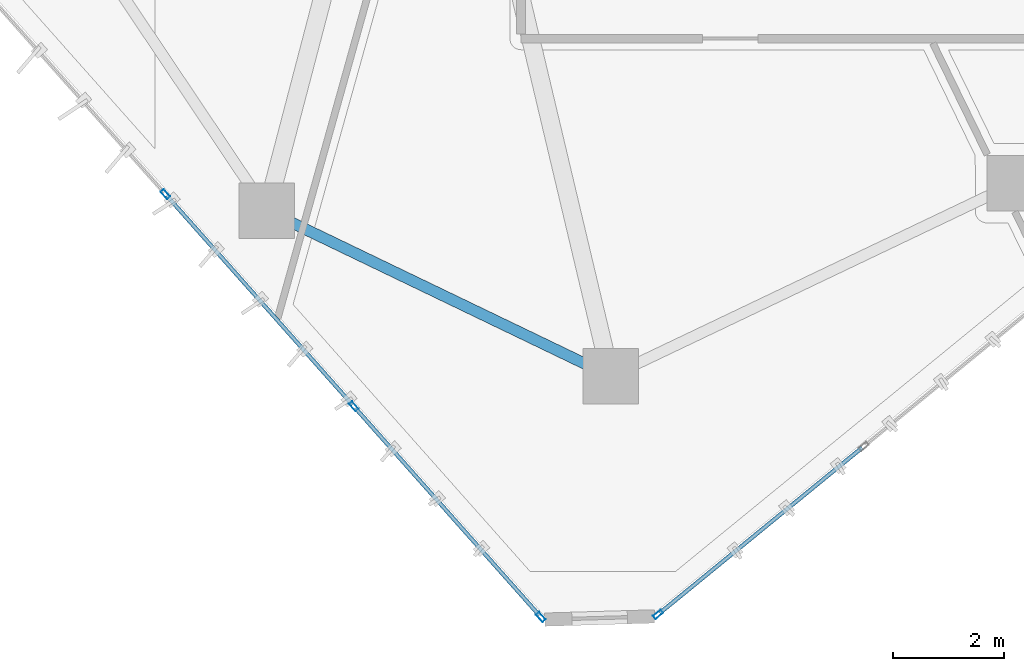
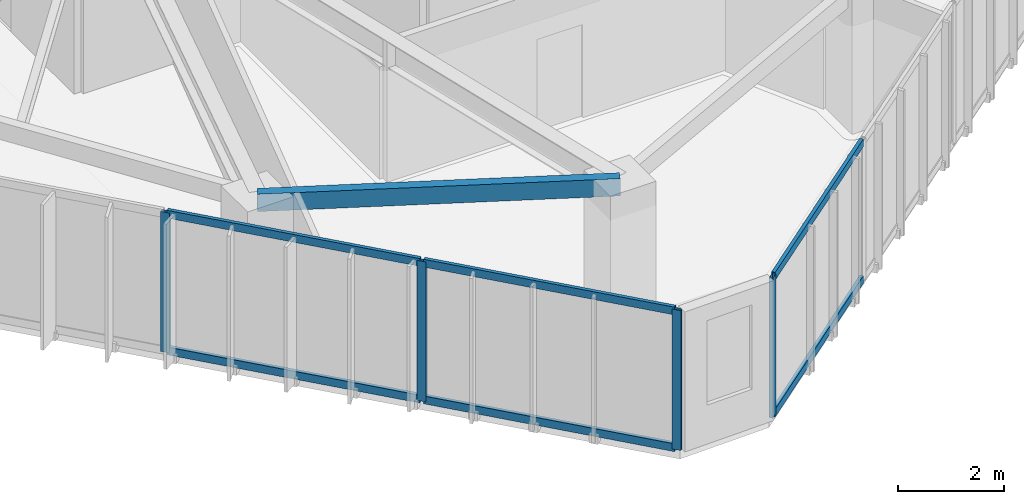
# One storey, part 2 of 22: 10 members, 1 beam, 2 elements without a shape of their own.
"""IFC4 building model written with IfcOpenShell, lengths in metres."""

from ifc_helpers import new_model, si_unit, direction, frame, origin, origin_2d, place, context, subcontext, project, spatial, hollow_rectangle, extrude, source, transform, mapped, material, layer, layer_set, material_profile, profile_set, type_object, type_shapes, element, aggregate, save


model = new_model("IFC4")

# Units and contexts
model_context = context("Model", 3, precision=1e-05, world=origin(), true_north=direction((0.0, 1.0)))
body_context = subcontext(model_context, "Body", "Model", "MODEL_VIEW")
ifc_project = project(units=[si_unit("LENGTHUNIT", "METRE"), si_unit("AREAUNIT", "SQUARE_METRE"), si_unit("VOLUMEUNIT", "CUBIC_METRE"), si_unit("PLANEANGLEUNIT", "RADIAN"), si_unit("MASSUNIT", "GRAM", prefix="KILO")], contexts=[model_context])

# Site, building, storey
site_placement = place(None, origin())
site = spatial("IfcSite", under=ifc_project, at=site_placement, CompositionType="ELEMENT")
building_placement = place(site_placement, origin())
building = spatial("IfcBuilding", under=site, at=building_placement, Name="Talar Marvaseh", CompositionType="ELEMENT")
storey_placement = place(building_placement, frame((0.0, 0.0, 229.199951171875)))
storey = spatial("IfcBuildingStorey", under=building, at=storey_placement, Name="L60", CompositionType="ELEMENT", Elevation=229.199951171875)

# Beam
ifc_material_1 = material(Name="Steel S355", Category="steel")
ifc_material_profile_1 = material_profile(ifc_material_1, hollow_rectangle(XDim=0.199951171875, YDim=0.39990234375, WallThickness=0.013916015625, at=origin_2d()), Name="RHS400x200x14")
ifc_profile_set_1 = profile_set([ifc_material_profile_1], Name="Steel S355")
beam_type = type_object("IfcBeamType", Name="Zone 3 Perimeter Spandrel Beam RHS400x200x14", PredefinedType="SPANDREL", material=ifc_profile_set_1)
beam_placement = place(storey_placement, frame((22.014892578125, 11.51904296875, 3.030029296875), z_axis=(-0.901071562993, 0.433670425975, 0.0), x_axis=(-0.433670425975, -0.901071562993, 0.0)))
element("IfcBeam", 1, at=beam_placement, inside=storey, type_object=beam_type, Name="L60 Zone 3 Perimeter Spandrel Beam RHS400x200x14", PredefinedType="SPANDREL", context=body_context, shape_type="SweptSolid", body=[
    extrude(hollow_rectangle(XDim=0.199951171875, YDim=0.39990234375, WallThickness=0.013916015625, at=origin_2d()), origin(), (0.0, 0.0, 1.0), 6.8759765625),
])

# Curtain wall, members
ifc_material_2 = material(Name="Architectural Aluminium", Category="aluminium")
ifc_layer = layer(ifc_material_2, 0.18994140625)
ifc_layer_set = layer_set([ifc_layer], Name="Architectural Aluminium")
curtain_wall_type = type_object("IfcCurtainWallType", Name="Unitised Solar Atelier Curtain Wall Z3", PredefinedType="NOTDEFINED", material=ifc_layer_set)
curtain_wall_1_placement = place(storey_placement, origin())
curtain_wall_1 = element("IfcCurtainWall", 2, at=curtain_wall_1_placement, inside=storey, type_object=curtain_wall_type, Name="L60 Unitised Solar Atelier Curtain Wall Z3", PredefinedType="NOTDEFINED")
ifc_material_profile_2 = material_profile(ifc_material_2, hollow_rectangle(XDim=0.074951171875, YDim=0.179931640625, WallThickness=0.0048828125, at=origin_2d()), Name="RHS180x75x5")
ifc_profile_set_2 = profile_set([ifc_material_profile_2], Name="Architectural Aluminium")
member_type_1 = type_object("IfcMemberType", Name="Unitised Curtain Wall Standard Mullion RHS180x75x5", PredefinedType="MULLION", material=ifc_profile_set_2)
shared_shape_1 = source(origin(), body_context, "Body", "SweptSolid", [
    extrude(hollow_rectangle(XDim=0.074951171875, YDim=0.179931640625, WallThickness=0.0048828125, at=origin_2d()), origin(), (0.0, 0.0, 1.0), 3.22998046875),
])
type_shapes(member_type_1, [shared_shape_1])
member_1_placement = place(storey_placement, frame((20.75634765625, 7.179443359375, 0.0), z_axis=(0.0, 0.0, 1.0), x_axis=(-0.747837549972, -0.663881765717, 0.0)))
member_1 = element("IfcMember", 3, at=member_1_placement, type_object=member_type_1, Name="CW-Z3 mullion 1", PredefinedType="MULLION", context=body_context, shape_type="MappedRepresentation", body=[
    mapped(shared_shape_1, transform((0.0, 0.0, 0.0), x_axis=(1.0, 0.0, 0.0), y_axis=(0.0, 1.0, 0.0), z_axis=(0.0, 0.0, 1.0), scale=1.0)),
])
member_2_placement = place(storey_placement, frame((17.386962890625, 10.97509765625, 0.0), z_axis=(0.0, 0.0, 1.0), x_axis=(-0.747837549972, -0.663881765717, 0.0)))
member_2 = element("IfcMember", 4, at=member_2_placement, type_object=member_type_1, Name="CW-Z3 mullion 2", PredefinedType="MULLION", context=body_context, shape_type="MappedRepresentation", body=[
    mapped(shared_shape_1, transform((0.0, 0.0, 0.0), x_axis=(1.0, 0.0, 0.0), y_axis=(0.0, 1.0, 0.0), z_axis=(0.0, 0.0, 1.0), scale=1.0)),
])
member_3_placement = place(storey_placement, frame((13.992431640625, 14.798583984375, 0.0), z_axis=(0.0, 0.0, 1.0), x_axis=(-0.747837549972, -0.663881765717, 0.0)))
member_3 = element("IfcMember", 5, at=member_3_placement, type_object=member_type_1, Name="CW-Z3 mullion 3", PredefinedType="MULLION", context=body_context, shape_type="MappedRepresentation", body=[
    mapped(shared_shape_1, transform((0.0, 0.0, 0.0), x_axis=(1.0, 0.0, 0.0), y_axis=(0.0, 1.0, 0.0), z_axis=(0.0, 0.0, 1.0), scale=1.0)),
])

# Curtain wall, member
curtain_wall_2_placement = place(storey_placement, origin())
curtain_wall_2 = element("IfcCurtainWall", 6, at=curtain_wall_2_placement, inside=storey, type_object=curtain_wall_type, Name="L60 Unitised Solar Atelier Curtain Wall Z3", PredefinedType="NOTDEFINED")
member_4_placement = place(storey_placement, frame((22.8701171875, 7.22607421875, 0.0), z_axis=(0.0, 0.0, 1.0), x_axis=(0.632822116312, -0.774297209801, 0.0)))
member_4 = element("IfcMember", 7, at=member_4_placement, type_object=member_type_1, Name="CW-Z3 mullion 5", PredefinedType="MULLION", context=body_context, shape_type="MappedRepresentation", body=[
    mapped(shared_shape_1, transform((0.0, 0.0, 0.0), x_axis=(1.0, 0.0, 0.0), y_axis=(0.0, 1.0, 0.0), z_axis=(0.0, 0.0, 1.0), scale=1.0)),
])

# Member
ifc_material_profile_3 = material_profile(ifc_material_2, hollow_rectangle(XDim=0.074951171875, YDim=0.179931640625, WallThickness=0.0048828125, at=origin_2d()), Name="RHS180x75x5")
ifc_profile_set_3 = profile_set([ifc_material_profile_3], Name="Architectural Aluminium")
member_type_2 = type_object("IfcMemberType", Name="Unitised Curtain Wall Transom RHS180x75x5", PredefinedType="USERDEFINED", material=ifc_profile_set_3)
shared_shape_2 = source(origin(), body_context, "Body", "SweptSolid", [
    extrude(hollow_rectangle(XDim=0.074951171875, YDim=0.179931640625, WallThickness=0.0048828125, at=origin_2d()), origin(), (0.0, 0.0, 1.0), 5.00048828125),
])
member_5_placement = place(storey_placement, frame((20.7314453125, 7.207275390625, 0.03759765625), z_axis=(-0.663845482592, 0.747869758208, 0.0), x_axis=(-0.747869758208, -0.663845482592, 0.0)))
member_5 = element("IfcMember", 8, at=member_5_placement, type_object=member_type_2, Name="CW-Z3 transom 1.1", ObjectType="TRANSOM", PredefinedType="USERDEFINED", context=body_context, shape_type="MappedRepresentation", body=[
    mapped(shared_shape_2, transform((0.0, 0.0, 0.0), x_axis=(1.0, 0.0, 0.0), y_axis=(0.0, 1.0, 0.0), z_axis=(0.0, 0.0, 1.0), scale=1.0)),
])

member_6_placement = place(storey_placement, frame((20.7314453125, 7.207275390625, 3.192626953125), z_axis=(-0.663845482592, 0.747869758208, 0.0), x_axis=(-0.747869758208, -0.663845482592, 0.0)))
member_6 = element("IfcMember", 9, at=member_6_placement, type_object=member_type_2, Name="CW-Z3 transom 1.2", ObjectType="TRANSOM", PredefinedType="USERDEFINED", context=body_context, shape_type="MappedRepresentation", body=[
    mapped(shared_shape_2, transform((0.0, 0.0, 0.0), x_axis=(1.0, 0.0, 0.0), y_axis=(0.0, 1.0, 0.0), z_axis=(0.0, 0.0, 1.0), scale=1.0)),
])

shared_shape_3 = source(origin(), body_context, "Body", "SweptSolid", [
    extrude(hollow_rectangle(XDim=0.074951171875, YDim=0.179931640625, WallThickness=0.0048828125, at=origin_2d()), origin(), (0.0, 0.0, 1.0), 4.70947265625),
])
member_7_placement = place(storey_placement, frame((26.545654296875, 10.230224609375, 0.03759765625), z_axis=(-0.774271319156, -0.632853793804, 0.0), x_axis=(0.632853793804, -0.774271319156, 0.0)))
member_7 = element("IfcMember", 10, at=member_7_placement, type_object=member_type_2, Name="CW-Z3 transom 4.1", ObjectType="TRANSOM", PredefinedType="USERDEFINED", context=body_context, shape_type="MappedRepresentation", body=[
    mapped(shared_shape_3, transform((0.0, 0.0, 0.0), x_axis=(1.0, 0.0, 0.0), y_axis=(0.0, 1.0, 0.0), z_axis=(0.0, 0.0, 1.0), scale=1.0)),
])

member_8_placement = place(storey_placement, frame((26.545654296875, 10.230224609375, 3.192626953125), z_axis=(-0.774271319156, -0.632853793804, 0.0), x_axis=(0.632853793804, -0.774271319156, 0.0)))
member_8 = element("IfcMember", 11, at=member_8_placement, type_object=member_type_2, Name="CW-Z3 transom 4.2", ObjectType="TRANSOM", PredefinedType="USERDEFINED", context=body_context, shape_type="MappedRepresentation", body=[
    mapped(shared_shape_3, transform((0.0, 0.0, 0.0), x_axis=(1.0, 0.0, 0.0), y_axis=(0.0, 1.0, 0.0), z_axis=(0.0, 0.0, 1.0), scale=1.0)),
])

aggregate(curtain_wall_2, [member_4, member_7, member_8])

shared_shape_4 = source(origin(), body_context, "Body", "SweptSolid", [
    extrude(hollow_rectangle(XDim=0.074951171875, YDim=0.179931640625, WallThickness=0.0048828125, at=origin_2d()), origin(), (0.0, 0.0, 1.0), 5.038330078125),
])
type_shapes(member_type_2, [shared_shape_2, shared_shape_3, shared_shape_4])
member_9_placement = place(storey_placement, frame((17.362060546875, 11.0029296875, 0.03759765625), z_axis=(-0.663870428225, 0.74784761451, 0.0), x_axis=(-0.74784761451, -0.663870428225, 0.0)))
member_9 = element("IfcMember", 12, at=member_9_placement, type_object=member_type_2, Name="CW-Z3 transom 2.1", ObjectType="TRANSOM", PredefinedType="USERDEFINED", context=body_context, shape_type="MappedRepresentation", body=[
    mapped(shared_shape_4, transform((0.0, 0.0, 0.0), x_axis=(1.0, 0.0, 0.0), y_axis=(0.0, 1.0, 0.0), z_axis=(0.0, 0.0, 1.0), scale=1.0)),
])

member_10_placement = place(storey_placement, frame((17.362060546875, 11.0029296875, 3.192626953125), z_axis=(-0.663870428225, 0.74784761451, 0.0), x_axis=(-0.74784761451, -0.663870428225, 0.0)))
member_10 = element("IfcMember", 13, at=member_10_placement, type_object=member_type_2, Name="CW-Z3 transom 2.2", ObjectType="TRANSOM", PredefinedType="USERDEFINED", context=body_context, shape_type="MappedRepresentation", body=[
    mapped(shared_shape_4, transform((0.0, 0.0, 0.0), x_axis=(1.0, 0.0, 0.0), y_axis=(0.0, 1.0, 0.0), z_axis=(0.0, 0.0, 1.0), scale=1.0)),
])

aggregate(curtain_wall_1, [member_1, member_2, member_3, member_5, member_6, member_9, member_10])

save(model, "model.ifc")
